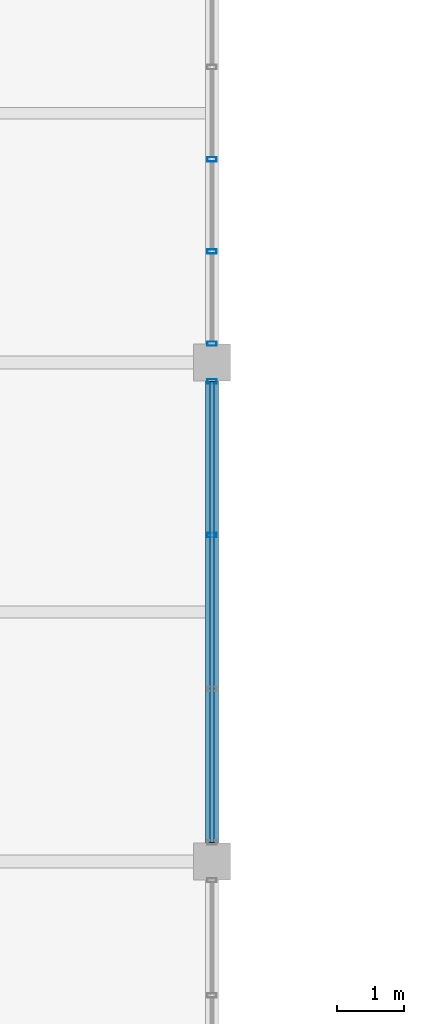
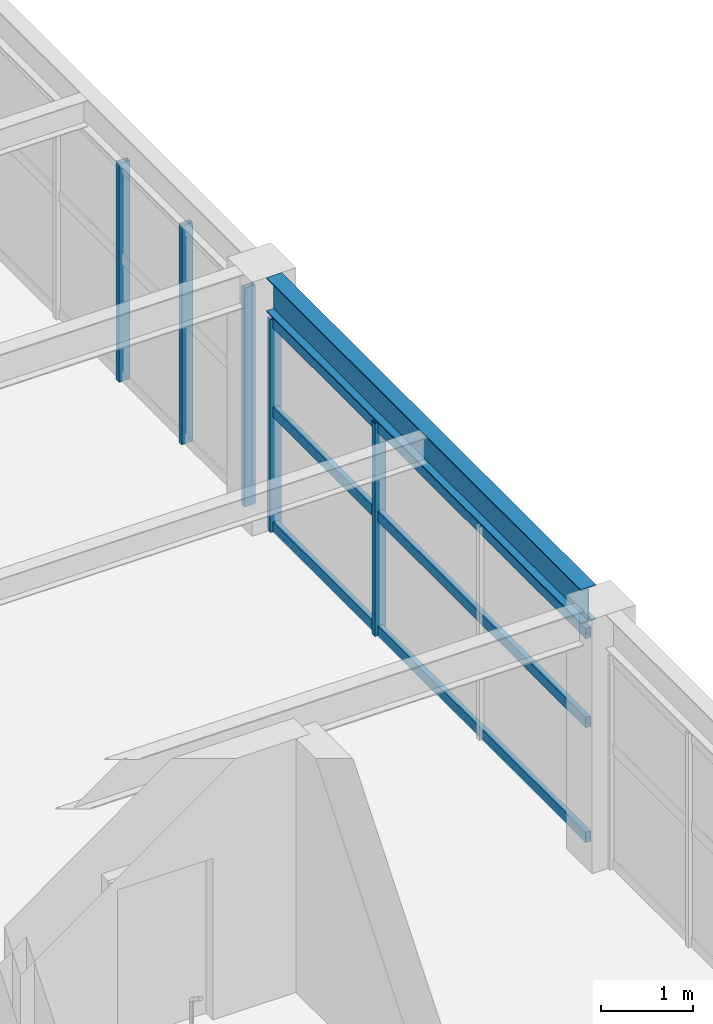
# One storey, part 24 of 93: 8 members, 1 beam, 2 elements without a shape of their own.
"""IFC4 building model written with IfcOpenShell, lengths in metres."""

from ifc_helpers import new_model, si_unit, direction, frame, origin, origin_2d, place, context, subcontext, project, spatial, hollow_rectangle, i_section, extrude, material, material_profile, profile_set, type_object, element, aggregate, save


model = new_model("IFC4")

# Units and contexts
model_context = context("Model", 3, precision=1e-05, world=origin(), true_north=direction((0.0, 1.0)))
body_context = subcontext(model_context, "Body", "Model", "MODEL_VIEW")
ifc_project = project(units=[si_unit("LENGTHUNIT", "METRE"), si_unit("AREAUNIT", "SQUARE_METRE"), si_unit("VOLUMEUNIT", "CUBIC_METRE"), si_unit("PLANEANGLEUNIT", "RADIAN"), si_unit("MASSUNIT", "GRAM", prefix="KILO")], contexts=[model_context])

# Site, building, storey
site_placement = place(None, origin())
site = spatial("IfcSite", under=ifc_project, at=site_placement, CompositionType="ELEMENT")
building_placement = place(site_placement, origin())
building = spatial("IfcBuilding", under=site, at=building_placement, Name="Cimatlan Art Gallery", CompositionType="ELEMENT")
storey_placement = place(building_placement, frame((0.0, 0.0, 13.800048828125)))
storey = spatial("IfcBuildingStorey", under=building, at=storey_placement, Name="L03", CompositionType="ELEMENT", Elevation=13.800048828125)

# Beam
ifc_material_1 = material(Name="Steel ASTM A992 Grade 50", Category="steel")
ifc_material_profile_1 = material_profile(ifc_material_1, i_section(OverallWidth=0.19091796875, OverallDepth=0.45703125, WebThickness=0.009033203125, FlangeThickness=0.014404296875, at=origin_2d()), Name="W18X50")
ifc_profile_set_1 = profile_set([ifc_material_profile_1], Name="Steel ASTM A992 Grade 50")
beam_type = type_object("IfcBeamType", Name="BM-STL-W18X50", PredefinedType="BEAM", material=ifc_profile_set_1)
beam_placement = place(storey_placement, frame((50.60009765625, 61.175048828125, 3.1513671875), z_axis=(0.0, 1.0, 0.0), x_axis=(-1.0, 0.0, 0.0)))
element("IfcBeam", 1, at=beam_placement, inside=storey, type_object=beam_type, Name="BM-Y-L03-06-08", PredefinedType="BEAM", context=body_context, shape_type="SweptSolid", body=[
    extrude(i_section(OverallWidth=0.19091796875, OverallDepth=0.45703125, WebThickness=0.009033203125, FlangeThickness=0.014404296875, at=origin_2d()), origin(), (0.0, 0.0, 1.0), 6.849853515625),
])

# Curtain wall, members
ifc_material_2 = material(Name="Anodised bronze unitised curtain wall")
curtain_wall_type_1 = type_object("IfcCurtainWallType", Name="CW-V-06842X02833-B3", PredefinedType="NOTDEFINED", material=ifc_material_2)
curtain_wall_1_placement = place(storey_placement, origin())
curtain_wall_1 = element("IfcCurtainWall", 2, at=curtain_wall_1_placement, inside=storey, type_object=curtain_wall_type_1, Name="CW-L03-05-08-E", PredefinedType="NOTDEFINED")
ifc_material_3 = material(Name="Anodised bronze aluminium 6063-T6", Category="aluminium")
ifc_material_profile_2 = material_profile(ifc_material_3, hollow_rectangle(XDim=0.06494140625, YDim=0.139892578125, WallThickness=0.00390625, at=origin_2d()), Name="ALU65X140X4")
ifc_profile_set_2 = profile_set([ifc_material_profile_2], Name="Anodised bronze aluminium 6063-T6")
member_type_1 = type_object("IfcMemberType", Name="CW-MUL-140", PredefinedType="MULLION", material=ifc_profile_set_2)
member_1_placement = place(storey_placement, frame((50.60009765625, 68.02099609375, 0.0), z_axis=(0.0, 0.0, 1.0), x_axis=(0.0, 1.0, 0.0)))
member_1 = element("IfcMember", 3, at=member_1_placement, type_object=member_type_1, Name="CW-L03-05-08-E-M1", PredefinedType="MULLION", context=body_context, shape_type="SweptSolid", body=[
    extrude(hollow_rectangle(XDim=0.06494140625, YDim=0.139892578125, WallThickness=0.00390625, at=origin_2d()), origin(), (0.0, 0.0, 1.0), 2.8330078125),
])
member_2_placement = place(storey_placement, frame((50.60009765625, 65.740234375, 0.0), z_axis=(0.0, 0.0, 1.0), x_axis=(0.0, 1.0, 0.0)))
member_2 = element("IfcMember", 4, at=member_2_placement, type_object=member_type_1, Name="CW-L03-05-08-E-M2", PredefinedType="MULLION", context=body_context, shape_type="SweptSolid", body=[
    extrude(hollow_rectangle(XDim=0.06494140625, YDim=0.139892578125, WallThickness=0.00390625, at=origin_2d()), origin(), (0.0, 0.0, 1.0), 2.8330078125),
])

curtain_wall_type_2 = type_object("IfcCurtainWallType", Name="CW-V-06842X02908-B5", PredefinedType="NOTDEFINED", material=ifc_material_2)
curtain_wall_2_placement = place(storey_placement, origin())
curtain_wall_2 = element("IfcCurtainWall", 5, at=curtain_wall_2_placement, inside=storey, type_object=curtain_wall_type_2, Name="CW-L03-05-09-E", PredefinedType="NOTDEFINED")
member_3_placement = place(storey_placement, frame((50.60009765625, 71.31591796875, 0.0), z_axis=(0.0, 0.0, 1.0), x_axis=(0.0, 1.0, 0.0)))
member_3 = element("IfcMember", 6, at=member_3_placement, type_object=member_type_1, Name="CW-L03-05-09-E-M4", PredefinedType="MULLION", context=body_context, shape_type="SweptSolid", body=[
    extrude(hollow_rectangle(XDim=0.06494140625, YDim=0.139892578125, WallThickness=0.00390625, at=origin_2d()), origin(), (0.0, 0.0, 1.0), 2.907958984375),
])
member_4_placement = place(storey_placement, frame((50.60009765625, 69.947509765625, 0.0), z_axis=(0.0, 0.0, 1.0), x_axis=(0.0, 1.0, 0.0)))
member_4 = element("IfcMember", 7, at=member_4_placement, type_object=member_type_1, Name="CW-L03-05-09-E-M5", PredefinedType="MULLION", context=body_context, shape_type="SweptSolid", body=[
    extrude(hollow_rectangle(XDim=0.06494140625, YDim=0.139892578125, WallThickness=0.00390625, at=origin_2d()), origin(), (0.0, 0.0, 1.0), 2.907958984375),
])
member_5_placement = place(storey_placement, frame((50.60009765625, 68.5791015625, 0.0), z_axis=(0.0, 0.0, 1.0), x_axis=(0.0, 1.0, 0.0)))
member_5 = element("IfcMember", 8, at=member_5_placement, type_object=member_type_1, Name="CW-L03-05-09-E-M6", PredefinedType="MULLION", context=body_context, shape_type="SweptSolid", body=[
    extrude(hollow_rectangle(XDim=0.06494140625, YDim=0.139892578125, WallThickness=0.00390625, at=origin_2d()), origin(), (0.0, 0.0, 1.0), 2.907958984375),
])
aggregate(curtain_wall_2, [member_3, member_4, member_5])

# Member
ifc_material_profile_3 = material_profile(ifc_material_3, hollow_rectangle(XDim=0.06494140625, YDim=0.139892578125, WallThickness=0.00390625, at=origin_2d()), Name="ALU65X140X4")
ifc_profile_set_3 = profile_set([ifc_material_profile_3], Name="Anodised bronze aluminium 6063-T6")
member_type_2 = type_object("IfcMemberType", Name="CW-TRN-140", PredefinedType="USERDEFINED", material=ifc_profile_set_3)
member_6_placement = place(storey_placement, frame((50.60009765625, 68.02099609375, 0.06005859375), z_axis=(0.0, -1.0, 0.0), x_axis=(1.0, 0.0, 0.0)))
member_6 = element("IfcMember", 9, at=member_6_placement, type_object=member_type_2, Name="CW-L03-05-08-E-T1", ObjectType="TRANSOM", PredefinedType="USERDEFINED", context=body_context, shape_type="SweptSolid", body=[
    extrude(hollow_rectangle(XDim=0.06494140625, YDim=0.139892578125, WallThickness=0.00390625, at=origin_2d()), origin(), (0.0, 0.0, 1.0), 6.842041015625),
])

member_7_placement = place(storey_placement, frame((50.60009765625, 68.02099609375, 1.58642578125), z_axis=(0.0, -1.0, 0.0), x_axis=(1.0, 0.0, 0.0)))
member_7 = element("IfcMember", 10, at=member_7_placement, type_object=member_type_2, Name="CW-L03-05-08-E-T2", ObjectType="TRANSOM", PredefinedType="USERDEFINED", context=body_context, shape_type="SweptSolid", body=[
    extrude(hollow_rectangle(XDim=0.06494140625, YDim=0.139892578125, WallThickness=0.00390625, at=origin_2d()), origin(), (0.0, 0.0, 1.0), 6.842041015625),
])

member_8_placement = place(storey_placement, frame((50.60009765625, 68.02099609375, 2.77294921875), z_axis=(0.0, -1.0, 0.0), x_axis=(1.0, 0.0, 0.0)))
member_8 = element("IfcMember", 11, at=member_8_placement, type_object=member_type_2, Name="CW-L03-05-08-E-T3", ObjectType="TRANSOM", PredefinedType="USERDEFINED", context=body_context, shape_type="SweptSolid", body=[
    extrude(hollow_rectangle(XDim=0.06494140625, YDim=0.139892578125, WallThickness=0.00390625, at=origin_2d()), origin(), (0.0, 0.0, 1.0), 6.842041015625),
])

aggregate(curtain_wall_1, [member_1, member_2, member_6, member_7, member_8])

save(model, "model.ifc")
